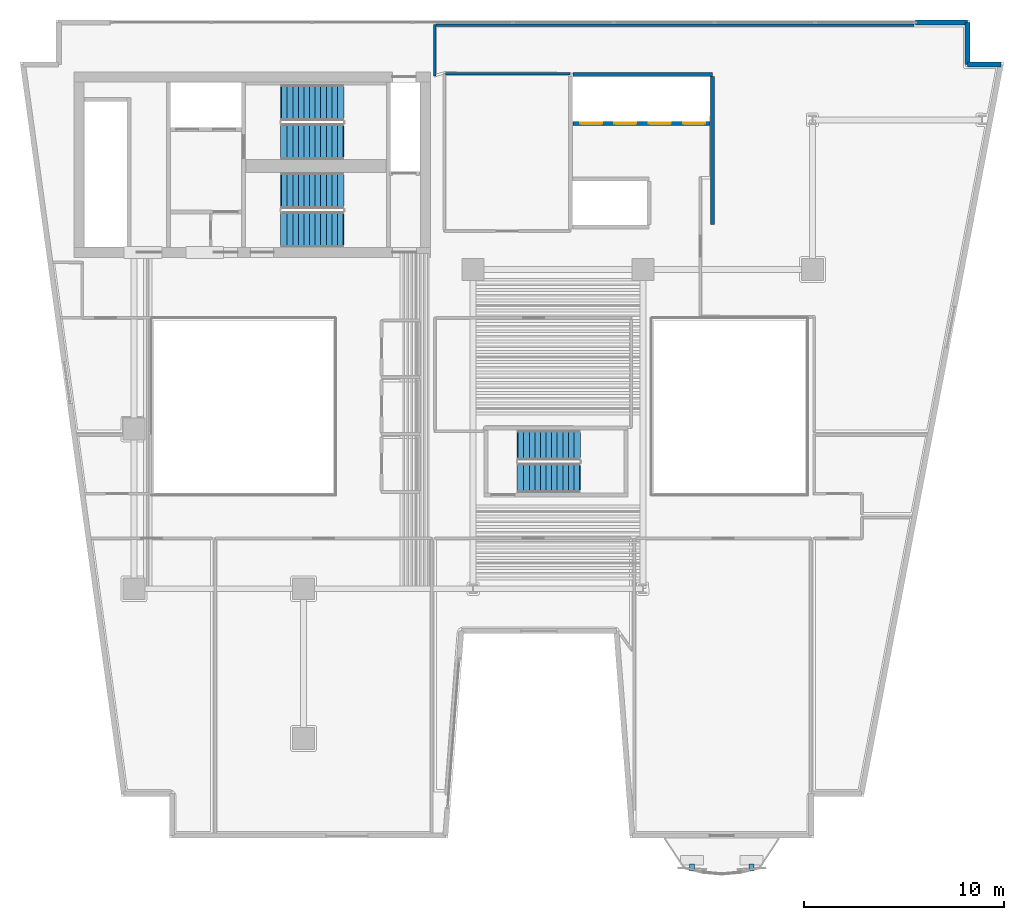
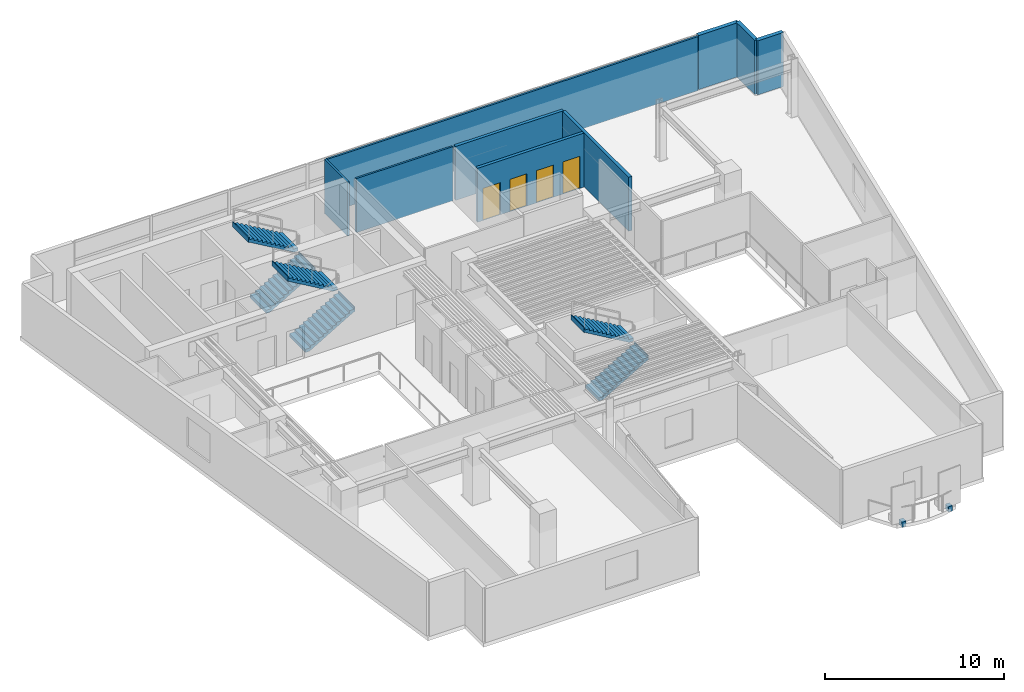
# One storey, part 8 of 13: 9 walls, 6 stair flights, 4 doors, 2 discrete accessories, 4 openings, 3 elements without a shape of their own.
"""IFC4 building model written with IfcOpenShell, lengths in metres."""

from ifc_helpers import new_model, si_unit, direction, frame, frame_2d, origin, origin_2d, place, context, subcontext, project, spatial, polyline, rectangle, outline, extrude, material, layer, layer_set, type_object, element, fill, aggregate, save


model = new_model("IFC4")

# Units and contexts
model_context = context("Model", 3, precision=1e-05, world=origin(), true_north=direction((0.0, 1.0)))
body_context = subcontext(model_context, "Body", "Model", "MODEL_VIEW")
ifc_project = project(units=[si_unit("LENGTHUNIT", "METRE"), si_unit("AREAUNIT", "SQUARE_METRE"), si_unit("VOLUMEUNIT", "CUBIC_METRE"), si_unit("PLANEANGLEUNIT", "RADIAN"), si_unit("MASSUNIT", "GRAM", prefix="KILO")], contexts=[model_context])

# Site, building, storey
site_placement = place(None, origin())
site = spatial("IfcSite", under=ifc_project, at=site_placement, CompositionType="ELEMENT")
building_placement = place(site_placement, origin())
building = spatial("IfcBuilding", under=site, at=building_placement, Name="Caeloran Harvest Quay", CompositionType="ELEMENT")
storey_placement = place(building_placement, frame((0.0, 0.0, 131.14990234375)))
storey = spatial("IfcBuildingStorey", under=building, at=storey_placement, Name="L30", CompositionType="ELEMENT", Elevation=131.14990234375)

# Walls
ifc_material_1 = material(Name="Precast concrete C50/60", Category="concrete")
ifc_layer_1 = layer(ifc_material_1, 0.260009765625, Name="Precast concrete C50/60")
ifc_layer_set_1 = layer_set([ifc_layer_1], Name="Precast concrete C50/60")
wall_type_1 = type_object("IfcWallType", Name="ENV-WALL-EW-260", PredefinedType="STANDARD", material=ifc_layer_set_1)
wall_1_placement = place(storey_placement, frame((47.669921875, 43.3701171875, 0.0), z_axis=(0.0, 0.0, 1.0), x_axis=(1.0, 0.0, 0.0)))
element("IfcWall", 1, at=wall_1_placement, inside=storey, type_object=wall_type_1, Name="L30 Exterior Facade Corner Pier Wall 6B", PredefinedType="STANDARD", context=body_context, shape_type="SweptSolid", body=[
    extrude(rectangle(XDim=2.60009765625, YDim=0.260009765625, at=frame_2d((1.300048828125, 0.0))), origin(), (0.0, 0.0, 1.0), 3.690185546875),
])
wall_2_placement = place(storey_placement, frame((50.27001953125, 43.3701171875, 0.0), z_axis=(0.0, 0.0, 1.0), x_axis=(0.0, -1.0, 0.0)))
element("IfcWall", 2, at=wall_2_placement, inside=storey, type_object=wall_type_1, Name="L30 Exterior Precast Concrete Facade Wall 7", PredefinedType="STANDARD", context=body_context, shape_type="SweptSolid", body=[
    extrude(rectangle(XDim=2.10009765625, YDim=0.260009765625, at=frame_2d((1.050048828125, 0.0))), origin(), (0.0, 0.0, 1.0), 3.690185546875),
])
wall_3_placement = place(storey_placement, frame((50.27001953125, 41.27001953125, 0.0), z_axis=(0.0, 0.0, 1.0), x_axis=(1.0, 0.0, 0.0)))
element("IfcWall", 3, at=wall_3_placement, inside=storey, type_object=wall_type_1, Name="L30 Exterior Precast Concrete Facade Wall 8", PredefinedType="STANDARD", context=body_context, shape_type="SweptSolid", body=[
    extrude(rectangle(XDim=1.671875, YDim=0.260009765625, at=frame_2d((0.8359375, 0.0))), origin(), (0.0, 0.0, 1.0), 3.690185546875),
])
ifc_material_2 = material(Name="Twin-Stud Mineral-Wool Acoustic Gypsum Partition", Category="gypsum")
ifc_layer_2 = layer(ifc_material_2, 0.125, Name="Twin-Stud Mineral-Wool Acoustic Gypsum Partition")
ifc_layer_set_2 = layer_set([ifc_layer_2], Name="Twin-Stud Mineral-Wool Acoustic Gypsum Partition")
wall_type_2 = type_object("IfcWallType", Name="INT-WALL-PW-125", PredefinedType="PARTITIONING", material=ifc_layer_set_2)
wall_4_placement = place(storey_placement, frame((24.117431640625, 40.800048828125, 0.0), z_axis=(0.0, 0.0, 1.0), x_axis=(1.0, 0.0, 0.0)))
element("IfcWall", 4, at=wall_4_placement, inside=storey, type_object=wall_type_2, Name="L30 Bioinformatics and Crop Phenotyping Laboratory Partition Wall", PredefinedType="PARTITIONING", context=body_context, shape_type="SweptSolid", body=[
    extrude(rectangle(XDim=6.232666015625, YDim=0.125, at=frame_2d((3.1162109375, 0.0))), origin(), (0.0, 0.0, 1.0), 3.690185546875),
])
wall_5_placement = place(storey_placement, frame((23.580078125, 40.693115234375, 0.0), z_axis=(0.0, 0.0, 1.0), x_axis=(0.0, 1.0, 0.0)))
element("IfcWall", 5, at=wall_5_placement, inside=storey, type_object=wall_type_2, Name="Controlled-Climate Simulation Lab 10 Partition Wall", PredefinedType="PARTITIONING", context=body_context, shape_type="SweptSolid", body=[
    extrude(rectangle(XDim=2.57177734375, YDim=0.125, at=frame_2d((1.285888671875, 0.0))), origin(), (0.0, 0.0, 1.0), 3.690185546875),
])
wall_6_placement = place(storey_placement, frame((23.6474609375, 43.239990234375, 0.0), z_axis=(0.0, 0.0, 1.0), x_axis=(1.0, 0.0, 0.0)))
element("IfcWall", 6, at=wall_6_placement, inside=storey, type_object=wall_type_2, Name="Controlled-Climate Simulation Lab 10 Partition Wall", PredefinedType="PARTITIONING", context=body_context, shape_type="SweptSolid", body=[
    extrude(rectangle(XDim=23.947998046875, YDim=0.125, at=frame_2d((11.97412109375, 0.0))), origin(), (0.0, 0.0, 1.0), 3.690185546875),
])
ifc_material_3 = material(Name="Concrete C50/60", Category="concrete")
ifc_layer_3 = layer(ifc_material_3, 0.199951171875, Name="Concrete C50/60")
ifc_layer_set_3 = layer_set([ifc_layer_3], Name="Concrete C50/60")
wall_type_3 = type_object("IfcWallType", Name="INT-WALL-SW-200", PredefinedType="PARTITIONING", material=ifc_layer_set_3)
wall_7_placement = place(storey_placement, frame((30.5, 40.780029296875, 0.0), z_axis=(0.0, 0.0, 1.0), x_axis=(1.0, 0.0, 0.0)))
element("IfcWall", 7, at=wall_7_placement, inside=storey, type_object=wall_type_3, Name="L30 Bank 2 Lift Shaft North Wall", PredefinedType="PARTITIONING", context=body_context, shape_type="SweptSolid", body=[
    extrude(rectangle(XDim=6.97998046875, YDim=0.199951171875, at=frame_2d((3.489990234375, 0.0))), origin(), (0.0, 0.0, 1.0), 3.690185546875),
])
wall_8_placement = place(storey_placement, frame((37.47998046875, 33.239990234375, 0.0), z_axis=(0.0, 0.0, 1.0), x_axis=(0.0, 1.0, 0.0)))
element("IfcWall", 8, at=wall_8_placement, inside=storey, type_object=wall_type_3, Name="L30 Bank 2 Lift Shaft East Wall", PredefinedType="PARTITIONING", context=body_context, shape_type="SweptSolid", body=[
    extrude(rectangle(XDim=7.419921875, YDim=0.199951171875, at=frame_2d((3.7099609375, 0.0))), origin(), (0.0, 0.0, 1.0), 3.690185546875),
])

# Wall, openings, doors
wall_9_placement = place(storey_placement, frame((30.5, 38.320068359375, 0.0), z_axis=(0.0, 0.0, 1.0), x_axis=(1.0, 0.0, 0.0)))
wall_9 = element("IfcWall", 9, at=wall_9_placement, inside=storey, type_object=wall_type_3, Name="L30 Bank 2 Lift Landing Front Wall", PredefinedType="PARTITIONING", context=body_context, shape_type="SweptSolid", body=[
    extrude(rectangle(XDim=6.860107421875, YDim=0.199951171875, at=frame_2d((3.43017578125, 0.0))), origin(), (0.0, 0.0, 1.0), 3.690185546875),
])
opening_1_placement = place(wall_9_placement, frame((0.360107421875, 0.0, 0.0)))
opening_1 = element("IfcOpeningElement", 10, at=opening_1_placement, cuts=wall_9, Name="Opening LD-01", PredefinedType="OPENING", context=body_context, shape_type="SweptSolid", body=[
    extrude(rectangle(XDim=1.10009765625, YDim=2.199951171875, at=frame_2d((0.550048828125, 1.10009765625))), frame((0.0, 0.10986328125, 0.0), z_axis=(0.0, -1.0, 0.0), x_axis=(1.0, 0.0, 0.0)), (0.0, 0.0, 1.0), 0.219970703125),
])
opening_2_placement = place(wall_9_placement, frame((2.080078125, 0.0, 0.0)))
opening_2 = element("IfcOpeningElement", 11, at=opening_2_placement, cuts=wall_9, Name="Opening LD-01", PredefinedType="OPENING", context=body_context, shape_type="SweptSolid", body=[
    extrude(rectangle(XDim=1.10009765625, YDim=2.199951171875, at=frame_2d((0.550048828125, 1.10009765625))), frame((0.0, 0.10986328125, 0.0), z_axis=(0.0, -1.0, 0.0), x_axis=(1.0, 0.0, 0.0)), (0.0, 0.0, 1.0), 0.219970703125),
])
opening_3_placement = place(wall_9_placement, frame((3.800048828125, 0.0, 0.0)))
opening_3 = element("IfcOpeningElement", 12, at=opening_3_placement, cuts=wall_9, Name="Opening LD-01", PredefinedType="OPENING", context=body_context, shape_type="SweptSolid", body=[
    extrude(rectangle(XDim=1.10009765625, YDim=2.199951171875, at=frame_2d((0.550048828125, 1.10009765625))), frame((0.0, 0.10986328125, 0.0), z_axis=(0.0, -1.0, 0.0), x_axis=(1.0, 0.0, 0.0)), (0.0, 0.0, 1.0), 0.219970703125),
])
opening_4_placement = place(wall_9_placement, frame((5.52001953125, 0.0, 0.0)))
opening_4 = element("IfcOpeningElement", 13, at=opening_4_placement, cuts=wall_9, Name="Opening LD-01", PredefinedType="OPENING", context=body_context, shape_type="SweptSolid", body=[
    extrude(rectangle(XDim=1.10009765625, YDim=2.199951171875, at=frame_2d((0.550048828125, 1.10009765625))), frame((0.0, 0.10986328125, 0.0), z_axis=(0.0, -1.0, 0.0), x_axis=(1.0, 0.0, 0.0)), (0.0, 0.0, 1.0), 0.219970703125),
])
ifc_material_4 = material(Name="Stainless Steel Grade 316", Category="steel")
door_type = type_object("IfcDoorType", Name="INTDOOR-LD-01", OperationType="NOTDEFINED", PredefinedType="DOOR", material=ifc_material_4)
door_1_placement = place(opening_1_placement, origin())
door_1 = element("IfcDoor", 14, at=door_1_placement, inside=storey, type_object=door_type, Name="Lift P2-1 Sliding Landing Door (L30)", OperationType="DOUBLE_DOOR_SLIDING", OverallHeight=2.199951171875, OverallWidth=1.10009765625, PredefinedType="DOOR", context=body_context, shape_type="SweptSolid", body=[
    extrude(rectangle(XDim=1.10009765625, YDim=2.199951171875, at=frame_2d((0.550048828125, 1.10009765625))), frame((0.0, 0.02490234375, 0.0), z_axis=(0.0, -1.0, 0.0), x_axis=(1.0, 0.0, 0.0)), (0.0, 0.0, 1.0), 0.050048828125),
])
fill(opening_1, door_1)
door_2_placement = place(opening_2_placement, origin())
door_2 = element("IfcDoor", 15, at=door_2_placement, inside=storey, type_object=door_type, Name="Lift P2-2 Sliding Landing Door (L30)", OperationType="DOUBLE_DOOR_SLIDING", OverallHeight=2.199951171875, OverallWidth=1.10009765625, PredefinedType="DOOR", context=body_context, shape_type="SweptSolid", body=[
    extrude(rectangle(XDim=1.10009765625, YDim=2.199951171875, at=frame_2d((0.550048828125, 1.10009765625))), frame((0.0, 0.02490234375, 0.0), z_axis=(0.0, -1.0, 0.0), x_axis=(1.0, 0.0, 0.0)), (0.0, 0.0, 1.0), 0.050048828125),
])
fill(opening_2, door_2)
door_3_placement = place(opening_3_placement, origin())
door_3 = element("IfcDoor", 16, at=door_3_placement, inside=storey, type_object=door_type, Name="Lift P2-3 Sliding Landing Door (L30)", OperationType="DOUBLE_DOOR_SLIDING", OverallHeight=2.199951171875, OverallWidth=1.10009765625, PredefinedType="DOOR", context=body_context, shape_type="SweptSolid", body=[
    extrude(rectangle(XDim=1.10009765625, YDim=2.199951171875, at=frame_2d((0.550048828125, 1.10009765625))), frame((0.0, 0.02490234375, 0.0), z_axis=(0.0, -1.0, 0.0), x_axis=(1.0, 0.0, 0.0)), (0.0, 0.0, 1.0), 0.050048828125),
])
fill(opening_3, door_3)
door_4_placement = place(opening_4_placement, origin())
door_4 = element("IfcDoor", 17, at=door_4_placement, inside=storey, type_object=door_type, Name="Lift P2-4 Sliding Landing Door (L30)", OperationType="DOUBLE_DOOR_SLIDING", OverallHeight=2.199951171875, OverallWidth=1.10009765625, PredefinedType="DOOR", context=body_context, shape_type="SweptSolid", body=[
    extrude(rectangle(XDim=1.10009765625, YDim=2.199951171875, at=frame_2d((0.550048828125, 1.10009765625))), frame((0.0, 0.02490234375, 0.0), z_axis=(0.0, -1.0, 0.0), x_axis=(1.0, 0.0, 0.0)), (0.0, 0.0, 1.0), 0.050048828125),
])
fill(opening_4, door_4)

# Stair, stair flights
stair_type_1 = type_object("IfcStairType", Name="STAIR-STC-180", PredefinedType="HALF_TURN_STAIR", material=ifc_material_3)
stair_1_placement = place(storey_placement, origin())
stair_1 = element("IfcStair", 18, at=stair_1_placement, inside=storey, type_object=stair_type_1, Name="L30 Core Pressurized Exit Stair ST-C1", PredefinedType="HALF_TURN_STAIR")
stair_flight_type_1 = type_object("IfcStairFlightType", Name="FLIGHT-STC-180", PredefinedType="STRAIGHT", material=ifc_material_3)
stair_flight_1_placement = place(storey_placement, frame((15.89990234375, 37.39990234375, 0.0), z_axis=(0.0, 0.0, 1.0), x_axis=(1.0, 0.0, 0.0)))
stair_flight_1 = element("IfcStairFlight", 19, at=stair_flight_1_placement, type_object=stair_flight_type_1, Name="ST-C1 flight 1", NumberOfRisers=12, NumberOfTreads=11, PredefinedType="STRAIGHT", RiserHeight=0.164583333, TreadLength=0.28, context=body_context, shape_type="SweptSolid", body=[
    extrude(outline(polyline([(-0.054931640625, -0.044921875), (-0.054931640625, -0.031982421875), (-0.054931640625, -0.018798828125), (-0.054931640625, -0.005615234375), (-0.054931640625, 0.00732421875), (-0.054931640625, 0.0205078125), (-0.054931640625, 0.03369140625), (-0.054931640625, 0.046630859375), (-0.054931640625, 0.059814453125), (-0.054931640625, 0.072998046875), (-0.054931640625, 0.0859375), (-0.054931640625, 0.09912109375), (-0.054931640625, 0.1123046875), (-0.054931640625, 0.125244140625), (-0.054931640625, 0.138427734375), (-0.054931640625, 0.1513671875), (-0.054931640625, 0.16455078125), (0.280029296875, 0.16455078125), (0.280029296875, 0.3291015625), (0.56005859375, 0.3291015625), (0.56005859375, 0.49365234375), (0.840087890625, 0.49365234375), (0.840087890625, 0.658447265625), (1.1201171875, 0.658447265625), (1.1201171875, 0.822998046875), (1.39990234375, 0.822998046875), (1.39990234375, 0.987548828125), (1.679931640625, 0.987548828125), (1.679931640625, 1.152099609375), (1.9599609375, 1.152099609375), (1.9599609375, 1.316650390625), (2.239990234375, 1.316650390625), (2.239990234375, 1.481201171875), (2.52001953125, 1.481201171875), (2.52001953125, 1.645751953125), (2.800048828125, 1.645751953125), (2.800048828125, 1.810302734375), (3.080078125, 1.810302734375), (3.080078125, 1.97509765625), (3.135009765625, 1.97509765625), (3.135009765625, 1.953857421875), (3.135009765625, 1.9326171875), (3.135009765625, 1.91162109375), (3.135009765625, 1.890380859375), (3.135009765625, 1.869140625), (3.135009765625, 1.84814453125), (3.135009765625, 1.826904296875), (3.135009765625, 1.8056640625), (3.135009765625, 1.78466796875), (3.135009765625, 1.763427734375), (3.135009765625, 1.7421875), (3.135009765625, 1.72119140625), (3.135009765625, 1.699951171875), (3.135009765625, 1.678955078125), (3.135009765625, 1.65771484375), (3.135009765625, 1.636474609375), (3.080078125, 1.636474609375), (0.21923828125, -0.044921875), (-0.054931640625, -0.044921875)])), frame((0.0, 0.89990234375, 0.0), z_axis=(0.0, -1.0, 0.0), x_axis=(1.0, 0.0, 0.0)), (0.0, 0.0, 1.0), 1.800048828125),
])
stair_flight_2_placement = place(storey_placement, frame((18.97998046875, 39.35009765625, 1.97509765625), z_axis=(0.0, 0.0, 1.0), x_axis=(-1.0, 0.0, 0.0)))
stair_flight_2 = element("IfcStairFlight", 20, at=stair_flight_2_placement, type_object=stair_flight_type_1, Name="ST-C1 flight 2", NumberOfRisers=12, NumberOfTreads=11, PredefinedType="STRAIGHT", RiserHeight=0.164583333, TreadLength=0.28, context=body_context, shape_type="SweptSolid", body=[
    extrude(outline(polyline([(-0.054931640625, -0.044921875), (-0.054931640625, -0.031982421875), (-0.054931640625, -0.018798828125), (-0.054931640625, -0.005615234375), (-0.054931640625, 0.00732421875), (-0.054931640625, 0.0205078125), (-0.054931640625, 0.03369140625), (-0.054931640625, 0.046630859375), (-0.054931640625, 0.059814453125), (-0.054931640625, 0.072998046875), (-0.054931640625, 0.0859375), (-0.054931640625, 0.09912109375), (-0.054931640625, 0.1123046875), (-0.054931640625, 0.125244140625), (-0.054931640625, 0.138427734375), (-0.054931640625, 0.1513671875), (-0.054931640625, 0.16455078125), (0.280029296875, 0.16455078125), (0.280029296875, 0.3291015625), (0.56005859375, 0.3291015625), (0.56005859375, 0.49365234375), (0.840087890625, 0.49365234375), (0.840087890625, 0.658447265625), (1.1201171875, 0.658447265625), (1.1201171875, 0.822998046875), (1.39990234375, 0.822998046875), (1.39990234375, 0.987548828125), (1.679931640625, 0.987548828125), (1.679931640625, 1.152099609375), (1.9599609375, 1.152099609375), (1.9599609375, 1.316650390625), (2.239990234375, 1.316650390625), (2.239990234375, 1.481201171875), (2.52001953125, 1.481201171875), (2.52001953125, 1.645751953125), (2.800048828125, 1.645751953125), (2.800048828125, 1.810302734375), (3.080078125, 1.810302734375), (3.080078125, 1.97509765625), (3.135009765625, 1.97509765625), (3.135009765625, 1.953857421875), (3.135009765625, 1.9326171875), (3.135009765625, 1.91162109375), (3.135009765625, 1.890380859375), (3.135009765625, 1.869140625), (3.135009765625, 1.84814453125), (3.135009765625, 1.826904296875), (3.135009765625, 1.8056640625), (3.135009765625, 1.78466796875), (3.135009765625, 1.763427734375), (3.135009765625, 1.7421875), (3.135009765625, 1.72119140625), (3.135009765625, 1.699951171875), (3.135009765625, 1.678955078125), (3.135009765625, 1.65771484375), (3.135009765625, 1.636474609375), (3.080078125, 1.636474609375), (0.21923828125, -0.044921875), (-0.054931640625, -0.044921875)])), frame((0.0, 0.89990234375, 0.0), z_axis=(0.0, -1.0, 0.0), x_axis=(1.0, 0.0, 0.0)), (0.0, 0.0, 1.0), 1.800048828125),
])
aggregate(stair_1, [stair_flight_1, stair_flight_2])

stair_2_placement = place(storey_placement, origin())
stair_2 = element("IfcStair", 21, at=stair_2_placement, inside=storey, type_object=stair_type_1, Name="L30 Core Pressurized Exit Stair ST-C2", PredefinedType="HALF_TURN_STAIR")
stair_flight_3_placement = place(storey_placement, frame((15.89990234375, 33.0, 0.0), z_axis=(0.0, 0.0, 1.0), x_axis=(1.0, 0.0, 0.0)))
stair_flight_3 = element("IfcStairFlight", 22, at=stair_flight_3_placement, type_object=stair_flight_type_1, Name="ST-C2 flight 1", NumberOfRisers=12, NumberOfTreads=11, PredefinedType="STRAIGHT", RiserHeight=0.164583333, TreadLength=0.28, context=body_context, shape_type="SweptSolid", body=[
    extrude(outline(polyline([(-0.054931640625, -0.044921875), (-0.054931640625, -0.031982421875), (-0.054931640625, -0.018798828125), (-0.054931640625, -0.005615234375), (-0.054931640625, 0.00732421875), (-0.054931640625, 0.0205078125), (-0.054931640625, 0.03369140625), (-0.054931640625, 0.046630859375), (-0.054931640625, 0.059814453125), (-0.054931640625, 0.072998046875), (-0.054931640625, 0.0859375), (-0.054931640625, 0.09912109375), (-0.054931640625, 0.1123046875), (-0.054931640625, 0.125244140625), (-0.054931640625, 0.138427734375), (-0.054931640625, 0.1513671875), (-0.054931640625, 0.16455078125), (0.280029296875, 0.16455078125), (0.280029296875, 0.3291015625), (0.56005859375, 0.3291015625), (0.56005859375, 0.49365234375), (0.840087890625, 0.49365234375), (0.840087890625, 0.658447265625), (1.1201171875, 0.658447265625), (1.1201171875, 0.822998046875), (1.39990234375, 0.822998046875), (1.39990234375, 0.987548828125), (1.679931640625, 0.987548828125), (1.679931640625, 1.152099609375), (1.9599609375, 1.152099609375), (1.9599609375, 1.316650390625), (2.239990234375, 1.316650390625), (2.239990234375, 1.481201171875), (2.52001953125, 1.481201171875), (2.52001953125, 1.645751953125), (2.800048828125, 1.645751953125), (2.800048828125, 1.810302734375), (3.080078125, 1.810302734375), (3.080078125, 1.97509765625), (3.135009765625, 1.97509765625), (3.135009765625, 1.953857421875), (3.135009765625, 1.9326171875), (3.135009765625, 1.91162109375), (3.135009765625, 1.890380859375), (3.135009765625, 1.869140625), (3.135009765625, 1.84814453125), (3.135009765625, 1.826904296875), (3.135009765625, 1.8056640625), (3.135009765625, 1.78466796875), (3.135009765625, 1.763427734375), (3.135009765625, 1.7421875), (3.135009765625, 1.72119140625), (3.135009765625, 1.699951171875), (3.135009765625, 1.678955078125), (3.135009765625, 1.65771484375), (3.135009765625, 1.636474609375), (3.080078125, 1.636474609375), (0.21923828125, -0.044921875), (-0.054931640625, -0.044921875)])), frame((0.0, 0.89990234375, 0.0), z_axis=(0.0, -1.0, 0.0), x_axis=(1.0, 0.0, 0.0)), (0.0, 0.0, 1.0), 1.800048828125),
])
stair_flight_4_placement = place(storey_placement, frame((18.97998046875, 34.949951171875, 1.97509765625), z_axis=(0.0, 0.0, 1.0), x_axis=(-1.0, 0.0, 0.0)))
stair_flight_4 = element("IfcStairFlight", 23, at=stair_flight_4_placement, type_object=stair_flight_type_1, Name="ST-C2 flight 2", NumberOfRisers=12, NumberOfTreads=11, PredefinedType="STRAIGHT", RiserHeight=0.164583333, TreadLength=0.28, context=body_context, shape_type="SweptSolid", body=[
    extrude(outline(polyline([(-0.054931640625, -0.044921875), (-0.054931640625, -0.031982421875), (-0.054931640625, -0.018798828125), (-0.054931640625, -0.005615234375), (-0.054931640625, 0.00732421875), (-0.054931640625, 0.0205078125), (-0.054931640625, 0.03369140625), (-0.054931640625, 0.046630859375), (-0.054931640625, 0.059814453125), (-0.054931640625, 0.072998046875), (-0.054931640625, 0.0859375), (-0.054931640625, 0.09912109375), (-0.054931640625, 0.1123046875), (-0.054931640625, 0.125244140625), (-0.054931640625, 0.138427734375), (-0.054931640625, 0.1513671875), (-0.054931640625, 0.16455078125), (0.280029296875, 0.16455078125), (0.280029296875, 0.3291015625), (0.56005859375, 0.3291015625), (0.56005859375, 0.49365234375), (0.840087890625, 0.49365234375), (0.840087890625, 0.658447265625), (1.1201171875, 0.658447265625), (1.1201171875, 0.822998046875), (1.39990234375, 0.822998046875), (1.39990234375, 0.987548828125), (1.679931640625, 0.987548828125), (1.679931640625, 1.152099609375), (1.9599609375, 1.152099609375), (1.9599609375, 1.316650390625), (2.239990234375, 1.316650390625), (2.239990234375, 1.481201171875), (2.52001953125, 1.481201171875), (2.52001953125, 1.645751953125), (2.800048828125, 1.645751953125), (2.800048828125, 1.810302734375), (3.080078125, 1.810302734375), (3.080078125, 1.97509765625), (3.135009765625, 1.97509765625), (3.135009765625, 1.953857421875), (3.135009765625, 1.9326171875), (3.135009765625, 1.91162109375), (3.135009765625, 1.890380859375), (3.135009765625, 1.869140625), (3.135009765625, 1.84814453125), (3.135009765625, 1.826904296875), (3.135009765625, 1.8056640625), (3.135009765625, 1.78466796875), (3.135009765625, 1.763427734375), (3.135009765625, 1.7421875), (3.135009765625, 1.72119140625), (3.135009765625, 1.699951171875), (3.135009765625, 1.678955078125), (3.135009765625, 1.65771484375), (3.135009765625, 1.636474609375), (3.080078125, 1.636474609375), (0.21923828125, -0.044921875), (-0.054931640625, -0.044921875)])), frame((0.0, 0.89990234375, 0.0), z_axis=(0.0, -1.0, 0.0), x_axis=(1.0, 0.0, 0.0)), (0.0, 0.0, 1.0), 1.800048828125),
])
aggregate(stair_2, [stair_flight_3, stair_flight_4])

stair_type_2 = type_object("IfcStairType", Name="STAIR-STW-150", PredefinedType="HALF_TURN_STAIR", material=ifc_material_3)
stair_3_placement = place(storey_placement, origin())
stair_3 = element("IfcStair", 24, at=stair_3_placement, inside=storey, type_object=stair_type_2, Name="L30 East Wing Protected Exit Stair ST-W1", PredefinedType="HALF_TURN_STAIR")
stair_flight_type_2 = type_object("IfcStairFlightType", Name="FLIGHT-STW-150", PredefinedType="STRAIGHT", material=ifc_material_3)
stair_flight_5_placement = place(storey_placement, frame((27.75, 20.550048828125, 0.0), z_axis=(0.0, 0.0, 1.0), x_axis=(1.0, 0.0, 0.0)))
stair_flight_5 = element("IfcStairFlight", 25, at=stair_flight_5_placement, type_object=stair_flight_type_2, Name="ST-W1 flight 1", NumberOfRisers=12, NumberOfTreads=11, PredefinedType="STRAIGHT", RiserHeight=0.164583333, TreadLength=0.28, context=body_context, shape_type="SweptSolid", body=[
    extrude(outline(polyline([(-0.054931640625, -0.044921875), (-0.054931640625, -0.031982421875), (-0.054931640625, -0.018798828125), (-0.054931640625, -0.005615234375), (-0.054931640625, 0.00732421875), (-0.054931640625, 0.0205078125), (-0.054931640625, 0.03369140625), (-0.054931640625, 0.046630859375), (-0.054931640625, 0.059814453125), (-0.054931640625, 0.072998046875), (-0.054931640625, 0.0859375), (-0.054931640625, 0.09912109375), (-0.054931640625, 0.1123046875), (-0.054931640625, 0.125244140625), (-0.054931640625, 0.138427734375), (-0.054931640625, 0.1513671875), (-0.054931640625, 0.16455078125), (0.280029296875, 0.16455078125), (0.280029296875, 0.3291015625), (0.56005859375, 0.3291015625), (0.56005859375, 0.49365234375), (0.840087890625, 0.49365234375), (0.840087890625, 0.658447265625), (1.1201171875, 0.658447265625), (1.1201171875, 0.822998046875), (1.39990234375, 0.822998046875), (1.39990234375, 0.987548828125), (1.679931640625, 0.987548828125), (1.679931640625, 1.152099609375), (1.9599609375, 1.152099609375), (1.9599609375, 1.316650390625), (2.239990234375, 1.316650390625), (2.239990234375, 1.481201171875), (2.52001953125, 1.481201171875), (2.52001953125, 1.645751953125), (2.800048828125, 1.645751953125), (2.800048828125, 1.810302734375), (3.080078125, 1.810302734375), (3.080078125, 1.97509765625), (3.135009765625, 1.97509765625), (3.135009765625, 1.953857421875), (3.135009765625, 1.9326171875), (3.135009765625, 1.91162109375), (3.135009765625, 1.890380859375), (3.135009765625, 1.869140625), (3.135009765625, 1.84814453125), (3.135009765625, 1.826904296875), (3.135009765625, 1.8056640625), (3.135009765625, 1.78466796875), (3.135009765625, 1.763427734375), (3.135009765625, 1.7421875), (3.135009765625, 1.72119140625), (3.135009765625, 1.699951171875), (3.135009765625, 1.678955078125), (3.135009765625, 1.65771484375), (3.135009765625, 1.636474609375), (3.080078125, 1.636474609375), (0.21923828125, -0.044921875), (-0.054931640625, -0.044921875)])), frame((0.0, 0.75, 0.0), z_axis=(0.0, -1.0, 0.0), x_axis=(1.0, 0.0, 0.0)), (0.0, 0.0, 1.0), 1.5),
])
stair_flight_6_placement = place(storey_placement, frame((30.830078125, 22.199951171875, 1.97509765625), z_axis=(0.0, 0.0, 1.0), x_axis=(-1.0, 0.0, 0.0)))
stair_flight_6 = element("IfcStairFlight", 26, at=stair_flight_6_placement, type_object=stair_flight_type_2, Name="ST-W1 flight 2", NumberOfRisers=12, NumberOfTreads=11, PredefinedType="STRAIGHT", RiserHeight=0.164583333, TreadLength=0.28, context=body_context, shape_type="SweptSolid", body=[
    extrude(outline(polyline([(-0.054931640625, -0.044921875), (-0.054931640625, -0.031982421875), (-0.054931640625, -0.018798828125), (-0.054931640625, -0.005615234375), (-0.054931640625, 0.00732421875), (-0.054931640625, 0.0205078125), (-0.054931640625, 0.03369140625), (-0.054931640625, 0.046630859375), (-0.054931640625, 0.059814453125), (-0.054931640625, 0.072998046875), (-0.054931640625, 0.0859375), (-0.054931640625, 0.09912109375), (-0.054931640625, 0.1123046875), (-0.054931640625, 0.125244140625), (-0.054931640625, 0.138427734375), (-0.054931640625, 0.1513671875), (-0.054931640625, 0.16455078125), (0.280029296875, 0.16455078125), (0.280029296875, 0.3291015625), (0.56005859375, 0.3291015625), (0.56005859375, 0.49365234375), (0.840087890625, 0.49365234375), (0.840087890625, 0.658447265625), (1.1201171875, 0.658447265625), (1.1201171875, 0.822998046875), (1.39990234375, 0.822998046875), (1.39990234375, 0.987548828125), (1.679931640625, 0.987548828125), (1.679931640625, 1.152099609375), (1.9599609375, 1.152099609375), (1.9599609375, 1.316650390625), (2.239990234375, 1.316650390625), (2.239990234375, 1.481201171875), (2.52001953125, 1.481201171875), (2.52001953125, 1.645751953125), (2.800048828125, 1.645751953125), (2.800048828125, 1.810302734375), (3.080078125, 1.810302734375), (3.080078125, 1.97509765625), (3.135009765625, 1.97509765625), (3.135009765625, 1.953857421875), (3.135009765625, 1.9326171875), (3.135009765625, 1.91162109375), (3.135009765625, 1.890380859375), (3.135009765625, 1.869140625), (3.135009765625, 1.84814453125), (3.135009765625, 1.826904296875), (3.135009765625, 1.8056640625), (3.135009765625, 1.78466796875), (3.135009765625, 1.763427734375), (3.135009765625, 1.7421875), (3.135009765625, 1.72119140625), (3.135009765625, 1.699951171875), (3.135009765625, 1.678955078125), (3.135009765625, 1.65771484375), (3.135009765625, 1.636474609375), (3.080078125, 1.636474609375), (0.21923828125, -0.044921875), (-0.054931640625, -0.044921875)])), frame((0.0, 0.75, 0.0), z_axis=(0.0, -1.0, 0.0), x_axis=(1.0, 0.0, 0.0)), (0.0, 0.0, 1.0), 1.5),
])
aggregate(stair_3, [stair_flight_5, stair_flight_6])

# Discrete accessories
ifc_material_5 = material(Name="Stainless Steel Grade 316L", Category="steel")
discrete_accessory_type = type_object("IfcDiscreteAccessoryType", Name="BRACKET-SCREEN-SS", PredefinedType="BRACKET", material=ifc_material_5)
for number, where, z_axis, x_axis, name in (
    (27, (39.44921875, 1.030029296875, -0.2197265625), (0.0, 0.0, 1.0), (1.0, 0.0, 0.0), "L30 Balcony Screen Support Bracket 1"),
    (28, (36.4658203125, 1.030029296875, -0.2197265625), (0.0, 0.0, 1.0), (1.0, 0.0, 0.0), "L30 Balcony Screen Support Bracket 2"),
):
    element("IfcDiscreteAccessory", number, at=place(storey_placement, frame(where, z_axis=z_axis, x_axis=x_axis)), inside=storey, type_object=discrete_accessory_type, Name=name, PredefinedType="BRACKET", context=body_context, shape_type="SweptSolid", body=[
        extrude(rectangle(XDim=0.260009765625, YDim=0.340087890625, at=origin_2d()), origin(), (0.0, 0.0, 1.0), 0.360107421875),
    ])

save(model, "model.ifc")
